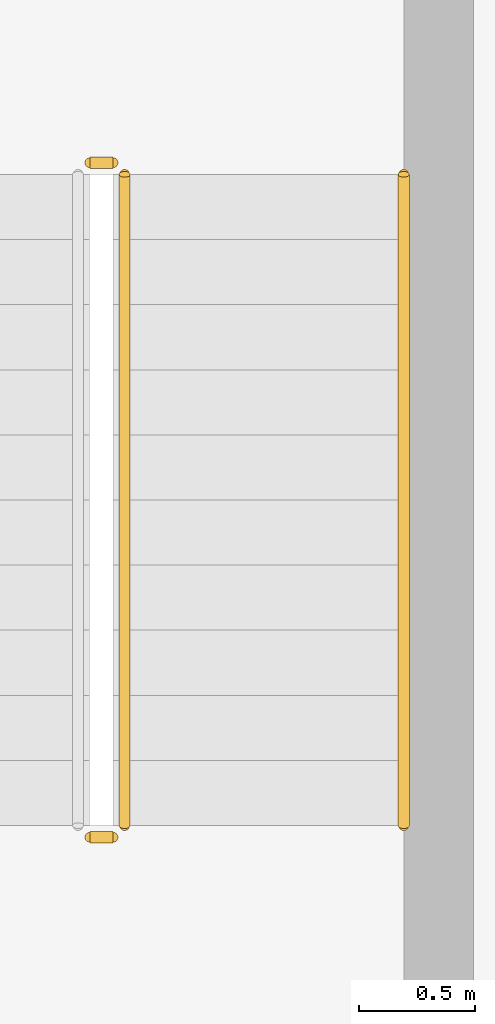
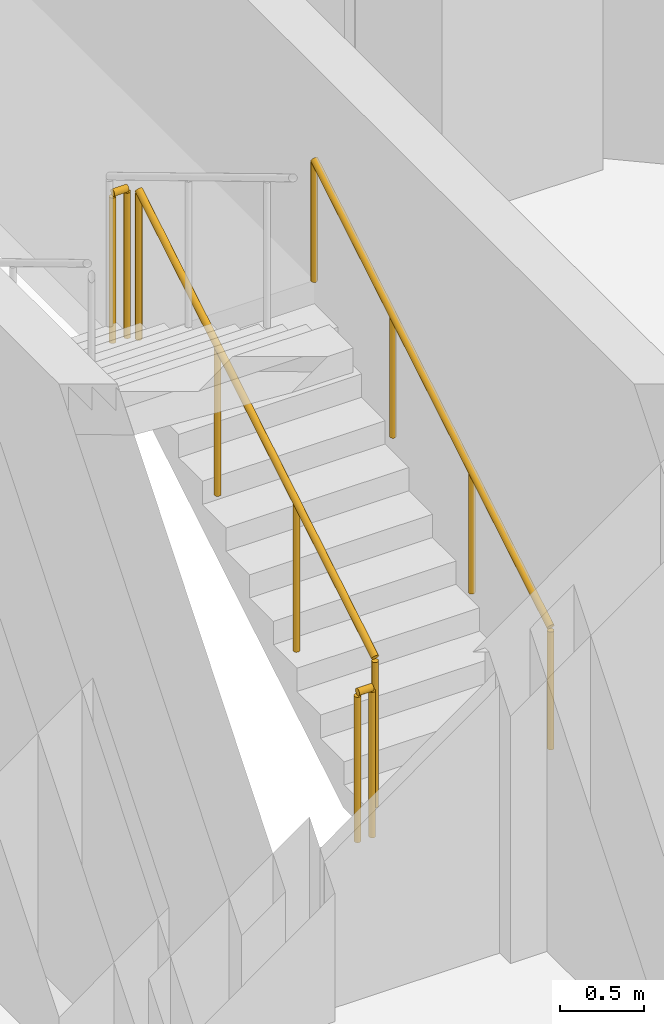
# One storey, part 21 of 21: 4 railings.
"""IFC4 building model written with IfcOpenShell, lengths in metres."""

import ifcopenshell
import ifcopenshell.guid

model = None  # the IFC model being written
_history = None  # IfcOwnerHistory: only IFC2X3 demands one
_inside = {}  # id of a spatial element -> (the spatial element, [elements in it])
_under = {}  # id of a project, library or spatial element -> (it, [spatial elements below it])
_declared = {}  # id of a project -> (the project, [libraries it declares])
_typed = {}  # id of a type object -> (the type object, [elements of that type])
_made_of = {}  # id of a material, layer set ... -> (it, [elements and type objects made of it])


def new_model(schema):
    """Start an empty IFC model of exactly this schema.

    Asked for "IFC4X3", IfcOpenShell would pick the latest addendum, in which some entities
    have other attributes; the version numbers below select the first issue.
    IFC2X3 requires an IfcOwnerHistory on every rooted entity: one is made here for all.
    """
    global model, _history
    if schema == "IFC4X3":
        model = ifcopenshell.file(schema_version=(4, 3, 0, 0))
    else:
        model = ifcopenshell.file(schema=schema)
    _inside.clear()
    _under.clear()
    _declared.clear()
    _typed.clear()
    _made_of.clear()
    _history = None
    if model.schema == "IFC2X3":
        org = make("IfcOrganization", Name="unknown")
        user = make(
            "IfcPersonAndOrganization",
            ThePerson=make("IfcPerson", FamilyName="unknown"),
            TheOrganization=org,
        )
        app = make(
            "IfcApplication",
            ApplicationDeveloper=org,
            Version="unknown",
            ApplicationFullName="unknown",
            ApplicationIdentifier="unknown",
        )
        _history = make(
            "IfcOwnerHistory",
            OwningUser=user,
            OwningApplication=app,
            ChangeAction="ADDED",
            CreationDate=0,
        )
    return model


def make(cls, **values):
    """One entity of the class cls with the attributes given. An attribute that is None is left unset."""
    return model.create_entity(
        cls, **{name: value for name, value in values.items() if value is not None}
    )


def rooted(cls, **values):
    """An entity with a GlobalId (a new one), such as an element, a storey or a relation."""
    return make(cls, GlobalId=ifcopenshell.guid.new(), OwnerHistory=_history, **values)


def si_unit(unit_type, name, prefix=None):
    """IfcSIUnit, for example si_unit("LENGTHUNIT", "METRE", prefix="MILLI")."""
    return make("IfcSIUnit", UnitType=unit_type, Prefix=prefix, Name=name)


def assignment(units):
    """IfcUnitAssignment: the units of a project."""
    return None if units is None else make("IfcUnitAssignment", Units=units)


def point(xyz):
    """IfcCartesianPoint."""
    return None if xyz is None else make("IfcCartesianPoint", Coordinates=xyz)


def direction(xyz):
    """IfcDirection."""
    return None if xyz is None else make("IfcDirection", DirectionRatios=xyz)


def frame(location, z_axis=None, x_axis=None):
    """IfcAxis2Placement3D, a coordinate frame: its origin and axes. An axis left out is left unset."""
    return make(
        "IfcAxis2Placement3D",
        Location=point(location),
        Axis=direction(z_axis),
        RefDirection=direction(x_axis),
    )


def frame_2d(location, x_axis=None):
    """IfcAxis2Placement2D, a coordinate frame in the plane: its origin and x axis."""
    return make(
        "IfcAxis2Placement2D", Location=point(location), RefDirection=direction(x_axis)
    )


def origin():
    """The frame at (0, 0, 0) with its axes left unset."""
    return frame((0.0, 0.0, 0.0))


def origin_2d():
    """The frame at (0, 0) in the plane with its x axis left unset."""
    return frame_2d((0.0, 0.0))


def place(relative_to, where):
    """IfcLocalPlacement: puts the frame where relative to a parent placement (None: the world)."""
    return make(
        "IfcLocalPlacement", PlacementRelTo=relative_to, RelativePlacement=where
    )


def context(
    kind, dimensions, precision=None, world=None, true_north=None, identifier=None
):
    """IfcGeometricRepresentationContext, for example the 3D "Model" context."""
    return make(
        "IfcGeometricRepresentationContext",
        ContextIdentifier=identifier,
        ContextType=kind,
        CoordinateSpaceDimension=dimensions,
        Precision=precision,
        WorldCoordinateSystem=world,
        TrueNorth=true_north,
    )


def subcontext(parent, identifier, kind, view, scale=None):
    """IfcGeometricRepresentationSubContext, for example "Body" below "Model"."""
    return make(
        "IfcGeometricRepresentationSubContext",
        ContextIdentifier=identifier,
        ContextType=kind,
        ParentContext=parent,
        TargetScale=scale,
        TargetView=view,
    )


def project(units=None, contexts=None):
    """IfcProject with its units and contexts."""
    return rooted(
        "IfcProject",
        Name="project",
        RepresentationContexts=contexts,
        UnitsInContext=assignment(units),
    )


def spatial(cls, under=None, at=None, **own):
    """A site, building, storey or space (cls), placed at a placement, below another one or the project."""
    s = rooted(cls, ObjectPlacement=at, **own)
    if under is not None:
        _under.setdefault(under.id(), (under, []))[1].append(s)
    return s


def profile(cls, at=None, kind="AREA", **sizes):
    """A parametric profile (cls). Its sizes go by their IFC names, for example OverallWidth=200.0."""
    return make(cls, ProfileType=kind, Position=at, **sizes)


def circle(**sizes):
    """IfcCircleProfileDef."""
    return profile("IfcCircleProfileDef", **sizes)


def extrude(swept, where, along, depth):
    """IfcExtrudedAreaSolid: the profile swept, set in the frame where, extruded along a direction by depth."""
    return make(
        "IfcExtrudedAreaSolid",
        SweptArea=swept,
        Position=where,
        ExtrudedDirection=direction(along),
        Depth=depth,
    )


def shape(context_of_items, identifier, shape_type, items):
    """IfcShapeRepresentation: the items that make up one representation, for example the "Body"."""
    return make(
        "IfcShapeRepresentation",
        ContextOfItems=context_of_items,
        RepresentationIdentifier=identifier,
        RepresentationType=shape_type,
        Items=items,
    )


def material(Name=None, Category=None):
    """IfcMaterial."""
    return make("IfcMaterial", Name=Name, Category=Category)


def made_of(thing, what):
    """Note that an element or type object is made of a material, layer set ...; save() writes the relation."""
    if what is not None:
        _made_of.setdefault(what.id(), (what, []))[1].append(thing)
    return thing


def type_object(cls, material=None, **own):
    """A type object (cls), such as IfcWallType, which elements share."""
    return made_of(rooted(cls, **own), material)


def element(
    cls,
    number,
    at=None,
    inside=None,
    cuts=None,
    type_object=None,
    material=None,
    context=None,
    identifier="Body",
    shape_type=None,
    held_by="IfcProductDefinitionShape",
    body=None,
    shapes=None,
    **own,
):
    """One element of the class cls, such as IfcWall. Its Tag is "e" and its number.

    at: its placement. inside: the storey or other place that contains it. cuts: it is an
    opening in that element (IfcRelVoidsElement). A single representation is given by context,
    identifier, shape_type and body (its items); several are given by shapes. held_by: the class
    of the entity that holds the representations. save() writes the other relations.
    """
    e = rooted(cls, Tag="e%d" % number, ObjectPlacement=at, **own)
    if body is not None:
        shapes = [shape(context, identifier, shape_type, body)]
    if shapes is not None:
        e.Representation = make(held_by, Representations=shapes)
    if inside is not None:
        _inside.setdefault(inside.id(), (inside, []))[1].append(e)
    if cuts is not None:
        rooted(
            "IfcRelVoidsElement", RelatingBuildingElement=cuts, RelatedOpeningElement=e
        )
    if type_object is not None:
        _typed.setdefault(type_object.id(), (type_object, []))[1].append(e)
    return made_of(e, material)


def aggregate(whole, parts):
    """IfcRelAggregates: a whole, such as a stair, and the parts it consists of."""
    return rooted("IfcRelAggregates", RelatingObject=whole, RelatedObjects=parts)


def save(model, path):
    """Write the relations noted so far, then the file.

    IfcRelAggregates (storeys below a building ...), IfcRelContainedInSpatialStructure (elements
    in a storey), IfcRelDefinesByType, IfcRelAssociatesMaterial and IfcRelDeclares: one each for
    every whole, place, type object, material and project.
    """
    for whole, parts in _under.values():
        aggregate(whole, parts)
    for where, things in _inside.values():
        rooted(
            "IfcRelContainedInSpatialStructure",
            RelatedElements=things,
            RelatingStructure=where,
        )
    for kind, things in _typed.values():
        rooted("IfcRelDefinesByType", RelatedObjects=things, RelatingType=kind)
    for what, things in _made_of.values():
        rooted("IfcRelAssociatesMaterial", RelatedObjects=things, RelatingMaterial=what)
    for by, libraries in _declared.values():
        rooted("IfcRelDeclares", RelatingContext=by, RelatedDefinitions=libraries)
    model.write(path)


model = new_model("IFC4")

# Units and contexts
model_context = context("Model", 3, precision=1e-05, world=origin(), true_north=direction((0.0, 1.0)))
body_context = subcontext(model_context, "Body", "Model", "MODEL_VIEW")
ifc_project = project(units=[si_unit("LENGTHUNIT", "METRE"), si_unit("AREAUNIT", "SQUARE_METRE"), si_unit("VOLUMEUNIT", "CUBIC_METRE"), si_unit("PLANEANGLEUNIT", "RADIAN"), si_unit("MASSUNIT", "GRAM", prefix="KILO")], contexts=[model_context])

# Site, building, storey
site_placement = place(None, origin())
site = spatial("IfcSite", under=ifc_project, at=site_placement, CompositionType="ELEMENT")
building_placement = place(site_placement, origin())
building = spatial("IfcBuilding", under=site, at=building_placement, Name="Ogive Portal Towers", CompositionType="ELEMENT")
storey_placement = place(building_placement, frame((0.0, 0.0, 157.0)))
storey = spatial("IfcBuildingStorey", under=building, at=storey_placement, Name="L38", CompositionType="ELEMENT", Elevation=157.0)

# Railings
ifc_material_1 = material(Name="Stainless steel balustrade", Category="steel")
railing_type_1 = type_object("IfcRailingType", Name="INT-GUARD", PredefinedType="GUARDRAIL", material=ifc_material_1)
railing_1_placement = place(storey_placement, frame((42.949951171875, 67.199951171875, 0.168212890625)))
element("IfcRailing", 1, at=railing_1_placement, inside=storey, type_object=railing_type_1, Name="L38 ST-A3 stair guard 1", PredefinedType="GUARDRAIL", context=body_context, shape_type="SweptSolid", body=[
    extrude(circle(Radius=0.02392578125, at=origin_2d()), frame((0.0, 0.0, 1.076171875), z_axis=(0.0, 0.857242210791, 0.514913383045), x_axis=(-1.0, 0.0, 0.0)), (0.0, 0.0, 1.0), 3.266357421875),
    extrude(circle(Radius=0.02099609375, at=origin_2d()), origin(), (0.0, 0.0, 1.0), 1.052001953125),
    extrude(circle(Radius=0.02099609375, at=origin_2d()), frame((0.0, 0.933349609375, 0.560546875)), (0.0, 0.0, 1.0), 1.052001953125),
    extrude(circle(Radius=0.02099609375, at=origin_2d()), frame((0.0, 1.86669921875, 1.121337890625)), (0.0, 0.0, 1.0), 1.052001953125),
    extrude(circle(Radius=0.02099609375, at=origin_2d()), frame((0.0, 2.800048828125, 1.681884765625)), (0.0, 0.0, 1.0), 1.052001953125),
])
for number, where, name in (
    (2, (42.89990234375, 70.050048828125, 1.85009765625), "L38 ST-A3 stair guard 2"),
    (3, (42.89990234375, 67.14990234375, 0.0), "L38 ST-A3 stair guard 4"),
):
    element("IfcRailing", number, at=place(storey_placement, frame(where)), inside=storey, type_object=railing_type_1, Name=name, PredefinedType="GUARDRAIL", context=body_context, shape_type="SweptSolid", body=[
        extrude(circle(Radius=0.02392578125, at=origin_2d()), frame((0.0, 0.0, 1.076171875), z_axis=(-1.0, 0.0, 0.0), x_axis=(0.0, -1.0, 0.0)), (0.0, 0.0, 1.0), 0.099853515625),
        extrude(circle(Radius=0.02099609375, at=origin_2d()), origin(), (0.0, 0.0, 1.0), 1.052001953125),
        extrude(circle(Radius=0.02099609375, at=origin_2d()), frame((-0.099853515625, 0.0, 0.0)), (0.0, 0.0, 1.0), 1.052001953125),
    ])
ifc_material_2 = material(Name="Stainless steel handrail", Category="steel")
railing_type_2 = type_object("IfcRailingType", Name="INT-HANDRAIL", PredefinedType="HANDRAIL", material=ifc_material_2)
railing_2_placement = place(storey_placement, frame((44.14990234375, 67.199951171875, 0.168212890625)))
element("IfcRailing", 4, at=railing_2_placement, inside=storey, type_object=railing_type_2, Name="L38 ST-A3 stair handrail 1", PredefinedType="HANDRAIL", context=body_context, shape_type="SweptSolid", body=[
    extrude(circle(Radius=0.02392578125, at=origin_2d()), frame((0.0, 0.0, 0.8759765625), z_axis=(0.0, 0.857242210791, 0.514913383045), x_axis=(-1.0, 0.0, 0.0)), (0.0, 0.0, 1.0), 3.266357421875),
    extrude(circle(Radius=0.02099609375, at=origin_2d()), origin(), (0.0, 0.0, 1.0), 0.851806640625),
    extrude(circle(Radius=0.02099609375, at=origin_2d()), frame((0.0, 0.933349609375, 0.560546875)), (0.0, 0.0, 1.0), 0.851806640625),
    extrude(circle(Radius=0.02099609375, at=origin_2d()), frame((0.0, 1.86669921875, 1.121337890625)), (0.0, 0.0, 1.0), 0.851806640625),
    extrude(circle(Radius=0.02099609375, at=origin_2d()), frame((0.0, 2.800048828125, 1.681884765625)), (0.0, 0.0, 1.0), 0.851806640625),
])

save(model, "model.ifc")
